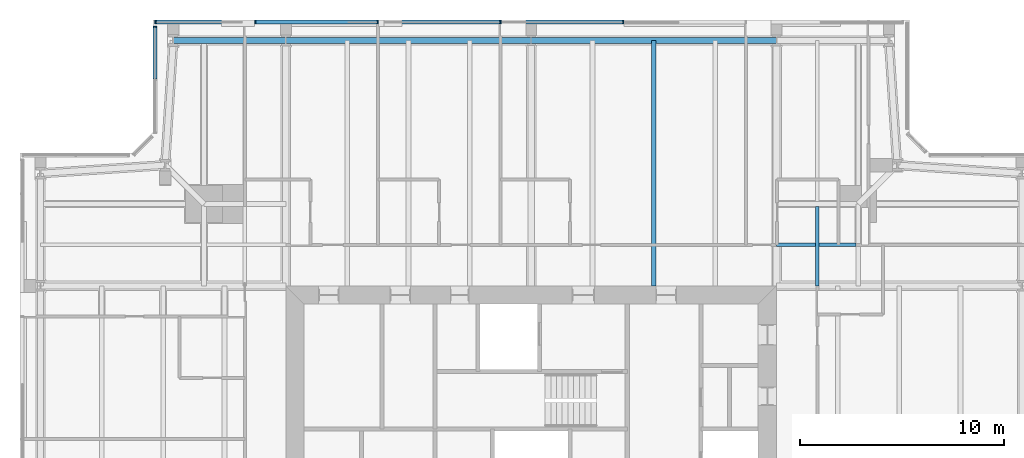
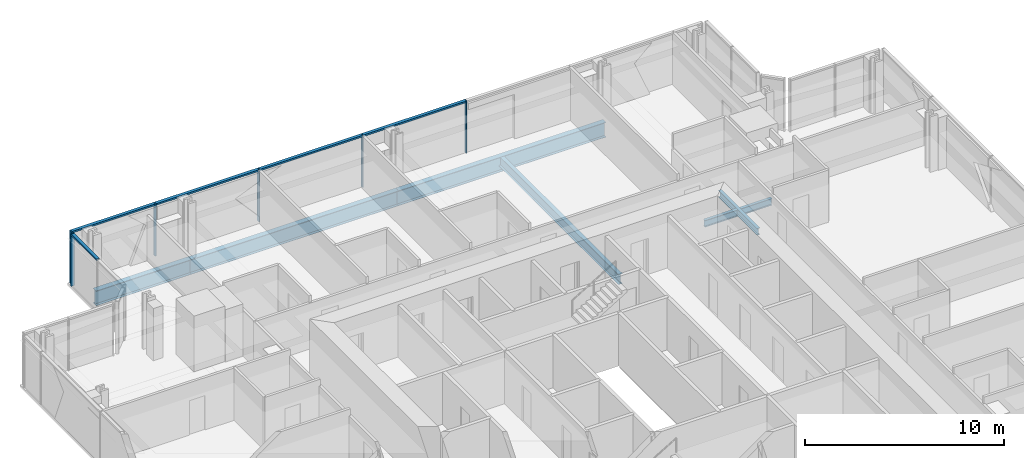
# One storey, part 8 of 18: 11 members, 7 beams, 2 elements without a shape of their own.
"""IFC4 building model written with IfcOpenShell, lengths in metres."""

from ifc_helpers import new_model, si_unit, direction, frame, origin, origin_2d, place, context, subcontext, project, spatial, rectangle, i_section, extrude, material, material_profile, profile_set, type_object, element, aggregate, save


model = new_model("IFC4")

# Units and contexts
model_context = context("Model", 3, precision=1e-05, world=origin(), true_north=direction((0.0, 1.0)))
body_context = subcontext(model_context, "Body", "Model", "MODEL_VIEW")
ifc_project = project(units=[si_unit("LENGTHUNIT", "METRE"), si_unit("AREAUNIT", "SQUARE_METRE"), si_unit("VOLUMEUNIT", "CUBIC_METRE"), si_unit("PLANEANGLEUNIT", "RADIAN"), si_unit("MASSUNIT", "GRAM", prefix="KILO")], contexts=[model_context])

# Site, building, storey
site_placement = place(None, origin())
site = spatial("IfcSite", under=ifc_project, at=site_placement, CompositionType="ELEMENT")
building_placement = place(site_placement, origin())
building = spatial("IfcBuilding", under=site, at=building_placement, Name="Fenwick Lantern Interchange", CompositionType="ELEMENT")
storey_placement = place(building_placement, frame((0.0, 0.0, 293.39990234375)))
storey = spatial("IfcBuildingStorey", under=building, at=storey_placement, Name="L71", CompositionType="ELEMENT", Elevation=293.39990234375)

# Beams
ifc_material_1 = material(Name="Steel ASTM A992 Grade 50", Category="steel")
ifc_material_profile_1 = material_profile(ifc_material_1, i_section(OverallWidth=0.3046875, OverallDepth=0.911865234375, WebThickness=0.015869140625, FlangeThickness=0.02392578125, at=origin_2d()), Name="W36X150")
ifc_profile_set_1 = profile_set([ifc_material_profile_1], Name="Steel ASTM A992 Grade 50")
beam_type_1 = type_object("IfcBeamType", Name="EDGE BEAM W36X150", PredefinedType="SPANDREL", material=ifc_profile_set_1)
for number, where, z_axis, x_axis, name in (
    (1, (37.0, 49.0, -0.605712890625), (-1.0, 0.0, 0.0), (0.0, -1.0, 0.0), "L71/FR/N/EB2"),
    (2, (25.0, 49.0, -0.605712890625), (-1.0, 0.0, 0.0), (0.0, -1.0, 0.0), "L71/FR/N/EB3"),
):
    element("IfcBeam", number, at=place(storey_placement, frame(where, z_axis=z_axis, x_axis=x_axis)), inside=storey, type_object=beam_type_1, Name=name, PredefinedType="SPANDREL", context=body_context, shape_type="SweptSolid", body=[
        extrude(i_section(OverallWidth=0.3046875, OverallDepth=0.911865234375, WebThickness=0.015869140625, FlangeThickness=0.02392578125, at=origin_2d()), origin(), (0.0, 0.0, 1.0), 12.0),
    ])
beam_1_placement = place(storey_placement, frame((13.0, 49.0, -0.605712890625), z_axis=(-1.0, 0.0, 0.0), x_axis=(0.0, -1.0, 0.0)))
element("IfcBeam", 3, at=beam_1_placement, inside=storey, type_object=beam_type_1, Name="L71/FR/N/EB4", PredefinedType="SPANDREL", context=body_context, shape_type="SweptSolid", body=[
    extrude(i_section(OverallWidth=0.3046875, OverallDepth=0.911865234375, WebThickness=0.015869140625, FlangeThickness=0.02392578125, at=origin_2d()), origin(), (0.0, 0.0, 1.0), 5.5),
])
ifc_material_profile_2 = material_profile(ifc_material_1, i_section(OverallWidth=0.22900390625, OverallDepth=0.612060546875, WebThickness=0.011962890625, FlangeThickness=0.01953125, at=origin_2d()), Name="W24X84")
ifc_profile_set_2 = profile_set([ifc_material_profile_2], Name="Steel ASTM A992 Grade 50")
beam_type_2 = type_object("IfcBeamType", Name="FLOOR BEAM W24X84", PredefinedType="BEAM", material=ifc_profile_set_2)
beam_2_placement = place(storey_placement, frame((31.0, 49.0, -0.4560546875), z_axis=(0.0, -1.0, 0.0), x_axis=(1.0, 0.0, 0.0)))
element("IfcBeam", 4, at=beam_2_placement, inside=storey, type_object=beam_type_2, Name="L71/FR/N/R03", PredefinedType="BEAM", context=body_context, shape_type="SweptSolid", body=[
    extrude(i_section(OverallWidth=0.22900390625, OverallDepth=0.612060546875, WebThickness=0.011962890625, FlangeThickness=0.01953125, at=origin_2d()), origin(), (0.0, 0.0, 1.0), 12.0),
])

# Curtain wall, members
ifc_material_2 = material(Name="Aluminium curtain wall frame", Category="aluminium")
curtain_wall_type = type_object("IfcCurtainWallType", Name="HOTEL CURTAIN WALL", PredefinedType="USERDEFINED", material=ifc_material_2)
curtain_wall_1_placement = place(storey_placement, origin())
curtain_wall_1 = element("IfcCurtainWall", 5, at=curtain_wall_1_placement, inside=storey, type_object=curtain_wall_type, Name="Hotel curtain wall 09", ObjectType="HOTEL CURTAIN WALL", PredefinedType="USERDEFINED")
ifc_material_3 = material(Name="Aluminium extrusion", Category="aluminium")
ifc_material_profile_3 = material_profile(ifc_material_3, rectangle(XDim=0.179931640625, YDim=0.06005859375, at=origin_2d()), Name="HOTEL CURTAIN WALL MULLION 60 X 180")
ifc_profile_set_3 = profile_set([ifc_material_profile_3], Name="Aluminium extrusion")
member_type_1 = type_object("IfcMemberType", Name="HOTEL CURTAIN WALL MULLION 60 X 180", PredefinedType="MULLION", material=ifc_profile_set_3)
member_1_placement = place(storey_placement, frame((29.5, 49.89990234375, 0.0), z_axis=(0.0, 0.0, 1.0), x_axis=(0.0, -1.0, 0.0)))
member_1 = element("IfcMember", 6, at=member_1_placement, type_object=member_type_1, Name="L71/CW/09/M03", PredefinedType="MULLION", context=body_context, shape_type="SweptSolid", body=[
    extrude(rectangle(XDim=0.179931640625, YDim=0.06005859375, at=origin_2d()), origin(), (0.0, 0.0, 1.0), 3.2001953125),
])
member_2_placement = place(storey_placement, frame((23.5, 49.89990234375, 0.0), z_axis=(0.0, 0.0, 1.0), x_axis=(0.0, -1.0, 0.0)))
member_2 = element("IfcMember", 7, at=member_2_placement, type_object=member_type_1, Name="L71/CW/09/M04", PredefinedType="MULLION", context=body_context, shape_type="SweptSolid", body=[
    extrude(rectangle(XDim=0.179931640625, YDim=0.06005859375, at=origin_2d()), origin(), (0.0, 0.0, 1.0), 3.2001953125),
])
member_3_placement = place(storey_placement, frame((17.5, 49.89990234375, 0.0), z_axis=(0.0, 0.0, 1.0), x_axis=(0.0, -1.0, 0.0)))
member_3 = element("IfcMember", 8, at=member_3_placement, type_object=member_type_1, Name="L71/CW/09/M05", PredefinedType="MULLION", context=body_context, shape_type="SweptSolid", body=[
    extrude(rectangle(XDim=0.179931640625, YDim=0.06005859375, at=origin_2d()), origin(), (0.0, 0.0, 1.0), 3.2001953125),
])
member_4_placement = place(storey_placement, frame((11.5, 49.89990234375, 0.0), z_axis=(0.0, 0.0, 1.0), x_axis=(0.0, -1.0, 0.0)))
member_4 = element("IfcMember", 9, at=member_4_placement, type_object=member_type_1, Name="L71/CW/09/M06", PredefinedType="MULLION", context=body_context, shape_type="SweptSolid", body=[
    extrude(rectangle(XDim=0.179931640625, YDim=0.06005859375, at=origin_2d()), origin(), (0.0, 0.0, 1.0), 3.2001953125),
])
member_5_placement = place(storey_placement, frame((6.6298828125, 49.89990234375, 0.0), z_axis=(0.0, 0.0, 1.0), x_axis=(0.0, -1.0, 0.0)))
member_5 = element("IfcMember", 10, at=member_5_placement, type_object=member_type_1, Name="L71/CW/09/M07", PredefinedType="MULLION", context=body_context, shape_type="SweptSolid", body=[
    extrude(rectangle(XDim=0.179931640625, YDim=0.06005859375, at=origin_2d()), origin(), (0.0, 0.0, 1.0), 3.2001953125),
])

# Curtain wall, member
curtain_wall_2_placement = place(storey_placement, origin())
curtain_wall_2 = element("IfcCurtainWall", 11, at=curtain_wall_2_placement, inside=storey, type_object=curtain_wall_type, Name="Hotel curtain wall 10", ObjectType="HOTEL CURTAIN WALL", PredefinedType="USERDEFINED")
member_6_placement = place(storey_placement, frame((6.60009765625, 49.669921875, 0.0), z_axis=(0.0, 0.0, 1.0), x_axis=(1.0, 0.0, 0.0)))
member_6 = element("IfcMember", 12, at=member_6_placement, type_object=member_type_1, Name="L71/CW/10/M00", PredefinedType="MULLION", context=body_context, shape_type="SweptSolid", body=[
    extrude(rectangle(XDim=0.179931640625, YDim=0.06005859375, at=origin_2d()), origin(), (0.0, 0.0, 1.0), 3.2001953125),
])

# Member
ifc_material_profile_4 = material_profile(ifc_material_3, rectangle(XDim=0.179931640625, YDim=0.10009765625, at=origin_2d()), Name="HOTEL CURTAIN WALL TRANSOM 100 X 180")
ifc_profile_set_4 = profile_set([ifc_material_profile_4], Name="Aluminium extrusion")
member_type_2 = type_object("IfcMemberType", Name="HOTEL CURTAIN WALL TRANSOM 100 X 180", PredefinedType="MULLION", material=ifc_profile_set_4)
member_7_placement = place(storey_placement, frame((29.469970703125, 49.89990234375, 3.150146484375), z_axis=(-1.0, 0.0, 0.0), x_axis=(0.0, -1.0, 0.0)))
member_7 = element("IfcMember", 13, at=member_7_placement, type_object=member_type_2, Name="L71/CW/09/T03", PredefinedType="MULLION", context=body_context, shape_type="SweptSolid", body=[
    extrude(rectangle(XDim=0.179931640625, YDim=0.10009765625, at=origin_2d()), origin(), (0.0, 0.0, 1.0), 5.93994140625),
])

member_8_placement = place(storey_placement, frame((23.469970703125, 49.89990234375, 3.150146484375), z_axis=(-1.0, 0.0, 0.0), x_axis=(0.0, -1.0, 0.0)))
member_8 = element("IfcMember", 14, at=member_8_placement, type_object=member_type_2, Name="L71/CW/09/T04", PredefinedType="MULLION", context=body_context, shape_type="SweptSolid", body=[
    extrude(rectangle(XDim=0.179931640625, YDim=0.10009765625, at=origin_2d()), origin(), (0.0, 0.0, 1.0), 5.93994140625),
])

member_9_placement = place(storey_placement, frame((17.469970703125, 49.89990234375, 3.150146484375), z_axis=(-1.0, 0.0, 0.0), x_axis=(0.0, -1.0, 0.0)))
member_9 = element("IfcMember", 15, at=member_9_placement, type_object=member_type_2, Name="L71/CW/09/T05", PredefinedType="MULLION", context=body_context, shape_type="SweptSolid", body=[
    extrude(rectangle(XDim=0.179931640625, YDim=0.10009765625, at=origin_2d()), origin(), (0.0, 0.0, 1.0), 5.93994140625),
])

member_10_placement = place(storey_placement, frame((11.469970703125, 49.89990234375, 3.150146484375), z_axis=(-1.0, 0.0, 0.0), x_axis=(0.0, -1.0, 0.0)))
member_10 = element("IfcMember", 16, at=member_10_placement, type_object=member_type_2, Name="L71/CW/09/T06", PredefinedType="MULLION", context=body_context, shape_type="SweptSolid", body=[
    extrude(rectangle(XDim=0.179931640625, YDim=0.10009765625, at=origin_2d()), origin(), (0.0, 0.0, 1.0), 4.81005859375),
])

aggregate(curtain_wall_1, [member_1, member_2, member_3, member_4, member_5, member_7, member_8, member_9, member_10])

member_11_placement = place(storey_placement, frame((6.60009765625, 49.639892578125, 3.150146484375), z_axis=(0.0, -1.0, 0.0), x_axis=(1.0, 0.0, 0.0)))
member_11 = element("IfcMember", 17, at=member_11_placement, type_object=member_type_2, Name="L71/CW/10/T00", PredefinedType="MULLION", context=body_context, shape_type="SweptSolid", body=[
    extrude(rectangle(XDim=0.179931640625, YDim=0.10009765625, at=origin_2d()), origin(), (0.0, 0.0, 1.0), 2.530517578125),
])

aggregate(curtain_wall_2, [member_6, member_11])

# Beams
ifc_material_profile_5 = material_profile(ifc_material_1, i_section(OverallWidth=0.177734375, OverallDepth=0.406494140625, WebThickness=0.0078125, FlangeThickness=0.012939453125, at=origin_2d()), Name="W16X40")
ifc_profile_set_5 = profile_set([ifc_material_profile_5], Name="Steel ASTM A992 Grade 50")
beam_type_3 = type_object("IfcBeamType", Name="INFILL BEAM W16X40", PredefinedType="JOIST", material=ifc_profile_set_5)
beam_3_placement = place(storey_placement, frame((39.0, 40.885498046875, -0.35302734375), z_axis=(0.0, -1.0, 0.0), x_axis=(1.0, 0.0, 0.0)))
element("IfcBeam", 18, at=beam_3_placement, inside=storey, type_object=beam_type_3, Name="L71/FR/N/J2", PredefinedType="JOIST", context=body_context, shape_type="SweptSolid", body=[
    extrude(i_section(OverallWidth=0.177734375, OverallDepth=0.406494140625, WebThickness=0.0078125, FlangeThickness=0.012939453125, at=origin_2d()), origin(), (0.0, 0.0, 1.0), 3.885498046875),
])
beam_4_placement = place(storey_placement, frame((40.885498046875, 39.0, -0.35302734375), z_axis=(-1.0, 0.0, 0.0), x_axis=(0.0, -1.0, 0.0)))
element("IfcBeam", 19, at=beam_4_placement, inside=storey, type_object=beam_type_3, Name="L71/FR/N/J4", PredefinedType="JOIST", context=body_context, shape_type="SweptSolid", body=[
    extrude(i_section(OverallWidth=0.177734375, OverallDepth=0.406494140625, WebThickness=0.0078125, FlangeThickness=0.012939453125, at=origin_2d()), origin(), (0.0, 0.0, 1.0), 1.796630859375),
])
beam_5_placement = place(storey_placement, frame((38.9111328125, 39.0, -0.35302734375), z_axis=(-1.0, 0.0, 0.0), x_axis=(0.0, -1.0, 0.0)))
element("IfcBeam", 20, at=beam_5_placement, inside=storey, type_object=beam_type_3, Name="L71/FR/N/J5", PredefinedType="JOIST", context=body_context, shape_type="SweptSolid", body=[
    extrude(i_section(OverallWidth=0.177734375, OverallDepth=0.406494140625, WebThickness=0.0078125, FlangeThickness=0.012939453125, at=origin_2d()), origin(), (0.0, 0.0, 1.0), 1.9111328125),
])

save(model, "model.ifc")
